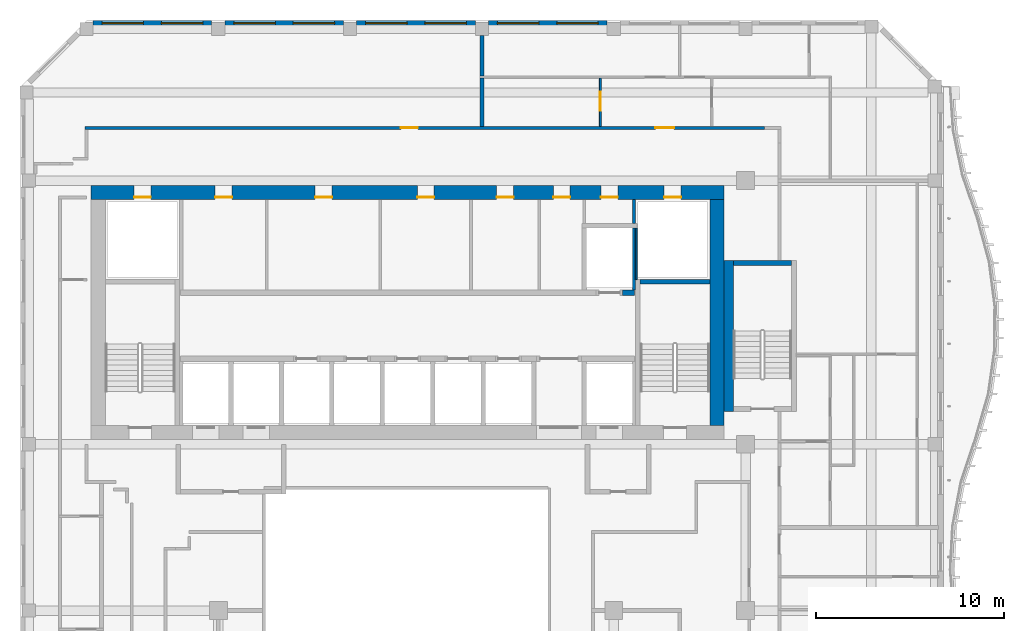
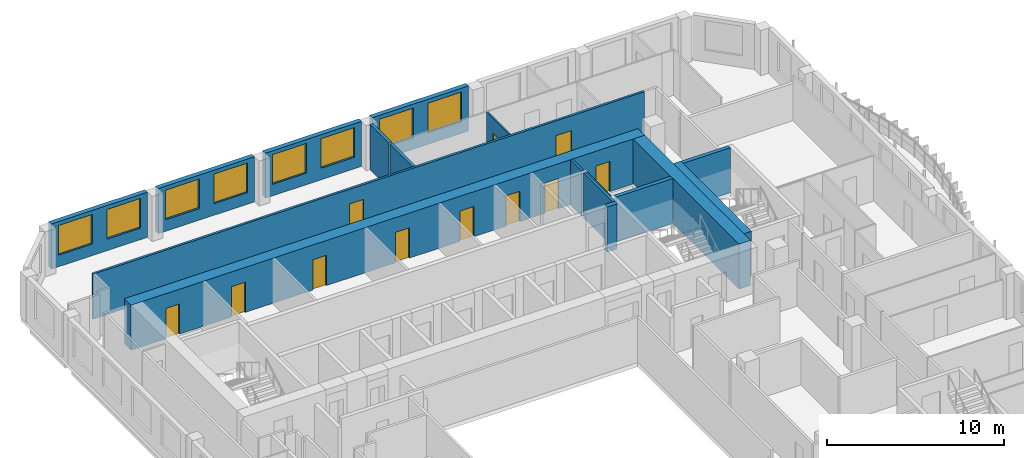
# One storey, part 8 of 19: 17 walls, 11 doors, 8 windows, 19 openings.
"""IFC4 building model written with IfcOpenShell, lengths in metres."""

import ifcopenshell
import ifcopenshell.guid

model = None  # the IFC model being written
_history = None  # IfcOwnerHistory: only IFC2X3 demands one
_inside = {}  # id of a spatial element -> (the spatial element, [elements in it])
_under = {}  # id of a project, library or spatial element -> (it, [spatial elements below it])
_declared = {}  # id of a project -> (the project, [libraries it declares])
_typed = {}  # id of a type object -> (the type object, [elements of that type])
_made_of = {}  # id of a material, layer set ... -> (it, [elements and type objects made of it])


def new_model(schema):
    """Start an empty IFC model of exactly this schema.

    Asked for "IFC4X3", IfcOpenShell would pick the latest addendum, in which some entities
    have other attributes; the version numbers below select the first issue.
    IFC2X3 requires an IfcOwnerHistory on every rooted entity: one is made here for all.
    """
    global model, _history
    if schema == "IFC4X3":
        model = ifcopenshell.file(schema_version=(4, 3, 0, 0))
    else:
        model = ifcopenshell.file(schema=schema)
    _inside.clear()
    _under.clear()
    _declared.clear()
    _typed.clear()
    _made_of.clear()
    _history = None
    if model.schema == "IFC2X3":
        org = make("IfcOrganization", Name="unknown")
        user = make(
            "IfcPersonAndOrganization",
            ThePerson=make("IfcPerson", FamilyName="unknown"),
            TheOrganization=org,
        )
        app = make(
            "IfcApplication",
            ApplicationDeveloper=org,
            Version="unknown",
            ApplicationFullName="unknown",
            ApplicationIdentifier="unknown",
        )
        _history = make(
            "IfcOwnerHistory",
            OwningUser=user,
            OwningApplication=app,
            ChangeAction="ADDED",
            CreationDate=0,
        )
    return model


def make(cls, **values):
    """One entity of the class cls with the attributes given. An attribute that is None is left unset."""
    return model.create_entity(
        cls, **{name: value for name, value in values.items() if value is not None}
    )


def rooted(cls, **values):
    """An entity with a GlobalId (a new one), such as an element, a storey or a relation."""
    return make(cls, GlobalId=ifcopenshell.guid.new(), OwnerHistory=_history, **values)


def si_unit(unit_type, name, prefix=None):
    """IfcSIUnit, for example si_unit("LENGTHUNIT", "METRE", prefix="MILLI")."""
    return make("IfcSIUnit", UnitType=unit_type, Prefix=prefix, Name=name)


def assignment(units):
    """IfcUnitAssignment: the units of a project."""
    return None if units is None else make("IfcUnitAssignment", Units=units)


def point(xyz):
    """IfcCartesianPoint."""
    return None if xyz is None else make("IfcCartesianPoint", Coordinates=xyz)


def direction(xyz):
    """IfcDirection."""
    return None if xyz is None else make("IfcDirection", DirectionRatios=xyz)


def frame(location, z_axis=None, x_axis=None):
    """IfcAxis2Placement3D, a coordinate frame: its origin and axes. An axis left out is left unset."""
    return make(
        "IfcAxis2Placement3D",
        Location=point(location),
        Axis=direction(z_axis),
        RefDirection=direction(x_axis),
    )


def frame_2d(location, x_axis=None):
    """IfcAxis2Placement2D, a coordinate frame in the plane: its origin and x axis."""
    return make(
        "IfcAxis2Placement2D", Location=point(location), RefDirection=direction(x_axis)
    )


def origin():
    """The frame at (0, 0, 0) with its axes left unset."""
    return frame((0.0, 0.0, 0.0))


def place(relative_to, where):
    """IfcLocalPlacement: puts the frame where relative to a parent placement (None: the world)."""
    return make(
        "IfcLocalPlacement", PlacementRelTo=relative_to, RelativePlacement=where
    )


def context(
    kind, dimensions, precision=None, world=None, true_north=None, identifier=None
):
    """IfcGeometricRepresentationContext, for example the 3D "Model" context."""
    return make(
        "IfcGeometricRepresentationContext",
        ContextIdentifier=identifier,
        ContextType=kind,
        CoordinateSpaceDimension=dimensions,
        Precision=precision,
        WorldCoordinateSystem=world,
        TrueNorth=true_north,
    )


def subcontext(parent, identifier, kind, view, scale=None):
    """IfcGeometricRepresentationSubContext, for example "Body" below "Model"."""
    return make(
        "IfcGeometricRepresentationSubContext",
        ContextIdentifier=identifier,
        ContextType=kind,
        ParentContext=parent,
        TargetScale=scale,
        TargetView=view,
    )


def project(units=None, contexts=None):
    """IfcProject with its units and contexts."""
    return rooted(
        "IfcProject",
        Name="project",
        RepresentationContexts=contexts,
        UnitsInContext=assignment(units),
    )


def spatial(cls, under=None, at=None, **own):
    """A site, building, storey or space (cls), placed at a placement, below another one or the project."""
    s = rooted(cls, ObjectPlacement=at, **own)
    if under is not None:
        _under.setdefault(under.id(), (under, []))[1].append(s)
    return s


def profile(cls, at=None, kind="AREA", **sizes):
    """A parametric profile (cls). Its sizes go by their IFC names, for example OverallWidth=200.0."""
    return make(cls, ProfileType=kind, Position=at, **sizes)


def rectangle(**sizes):
    """IfcRectangleProfileDef."""
    return profile("IfcRectangleProfileDef", **sizes)


def extrude(swept, where, along, depth):
    """IfcExtrudedAreaSolid: the profile swept, set in the frame where, extruded along a direction by depth."""
    return make(
        "IfcExtrudedAreaSolid",
        SweptArea=swept,
        Position=where,
        ExtrudedDirection=direction(along),
        Depth=depth,
    )


def shape(context_of_items, identifier, shape_type, items):
    """IfcShapeRepresentation: the items that make up one representation, for example the "Body"."""
    return make(
        "IfcShapeRepresentation",
        ContextOfItems=context_of_items,
        RepresentationIdentifier=identifier,
        RepresentationType=shape_type,
        Items=items,
    )


def source(mapping_origin, context_of_items, identifier, shape_type, items):
    """IfcRepresentationMap: a shape defined once, which mapped items show again and again."""
    return make(
        "IfcRepresentationMap",
        MappingOrigin=mapping_origin,
        MappedRepresentation=shape(context_of_items, identifier, shape_type, items),
    )


def transform(
    local_origin,
    x_axis=None,
    y_axis=None,
    z_axis=None,
    scale=None,
    scale2=None,
    scale3=None,
    uniform=True,
):
    """IfcCartesianTransformationOperator3D, or its non-uniform kind. x_axis, y_axis, z_axis: its Axis1, 2, 3."""
    if uniform:
        return make(
            "IfcCartesianTransformationOperator3D",
            Axis1=direction(x_axis),
            Axis2=direction(y_axis),
            LocalOrigin=point(local_origin),
            Scale=scale,
            Axis3=direction(z_axis),
        )
    return make(
        "IfcCartesianTransformationOperator3DnonUniform",
        Axis1=direction(x_axis),
        Axis2=direction(y_axis),
        LocalOrigin=point(local_origin),
        Scale=scale,
        Axis3=direction(z_axis),
        Scale2=scale2,
        Scale3=scale3,
    )


def mapped(mapping_source, mapping_target):
    """IfcMappedItem: shows the shape of a source again, moved by a transform."""
    return make(
        "IfcMappedItem", MappingSource=mapping_source, MappingTarget=mapping_target
    )


def material(Name=None, Category=None):
    """IfcMaterial."""
    return make("IfcMaterial", Name=Name, Category=Category)


def layer(
    of_material, thickness, ventilated=None, Name=None, Category=None, Priority=None
):
    """IfcMaterialLayer: one layer of a wall or slab, of a material (None: an air gap)."""
    return make(
        "IfcMaterialLayer",
        Material=of_material,
        LayerThickness=thickness,
        IsVentilated=ventilated,
        Name=Name,
        Category=Category,
        Priority=Priority,
    )


def layer_set(layers, Name=None):
    """IfcMaterialLayerSet."""
    return make("IfcMaterialLayerSet", MaterialLayers=layers, LayerSetName=Name)


def made_of(thing, what):
    """Note that an element or type object is made of a material, layer set ...; save() writes the relation."""
    if what is not None:
        _made_of.setdefault(what.id(), (what, []))[1].append(thing)
    return thing


def type_object(cls, material=None, **own):
    """A type object (cls), such as IfcWallType, which elements share."""
    return made_of(rooted(cls, **own), material)


def element(
    cls,
    number,
    at=None,
    inside=None,
    cuts=None,
    type_object=None,
    material=None,
    context=None,
    identifier="Body",
    shape_type=None,
    held_by="IfcProductDefinitionShape",
    body=None,
    shapes=None,
    **own,
):
    """One element of the class cls, such as IfcWall. Its Tag is "e" and its number.

    at: its placement. inside: the storey or other place that contains it. cuts: it is an
    opening in that element (IfcRelVoidsElement). A single representation is given by context,
    identifier, shape_type and body (its items); several are given by shapes. held_by: the class
    of the entity that holds the representations. save() writes the other relations.
    """
    e = rooted(cls, Tag="e%d" % number, ObjectPlacement=at, **own)
    if body is not None:
        shapes = [shape(context, identifier, shape_type, body)]
    if shapes is not None:
        e.Representation = make(held_by, Representations=shapes)
    if inside is not None:
        _inside.setdefault(inside.id(), (inside, []))[1].append(e)
    if cuts is not None:
        rooted(
            "IfcRelVoidsElement", RelatingBuildingElement=cuts, RelatedOpeningElement=e
        )
    if type_object is not None:
        _typed.setdefault(type_object.id(), (type_object, []))[1].append(e)
    return made_of(e, material)


def fill(opening, filler):
    """IfcRelFillsElement: the door or window that sits in an opening."""
    return rooted(
        "IfcRelFillsElement",
        RelatingOpeningElement=opening,
        RelatedBuildingElement=filler,
    )


def aggregate(whole, parts):
    """IfcRelAggregates: a whole, such as a stair, and the parts it consists of."""
    return rooted("IfcRelAggregates", RelatingObject=whole, RelatedObjects=parts)


def save(model, path):
    """Write the relations noted so far, then the file.

    IfcRelAggregates (storeys below a building ...), IfcRelContainedInSpatialStructure (elements
    in a storey), IfcRelDefinesByType, IfcRelAssociatesMaterial and IfcRelDeclares: one each for
    every whole, place, type object, material and project.
    """
    for whole, parts in _under.values():
        aggregate(whole, parts)
    for where, things in _inside.values():
        rooted(
            "IfcRelContainedInSpatialStructure",
            RelatedElements=things,
            RelatingStructure=where,
        )
    for kind, things in _typed.values():
        rooted("IfcRelDefinesByType", RelatedObjects=things, RelatingType=kind)
    for what, things in _made_of.values():
        rooted("IfcRelAssociatesMaterial", RelatedObjects=things, RelatingMaterial=what)
    for by, libraries in _declared.values():
        rooted("IfcRelDeclares", RelatingContext=by, RelatedDefinitions=libraries)
    model.write(path)


model = new_model("IFC4")

# Units and contexts
model_context = context("Model", 3, precision=1e-05, world=origin(), true_north=direction((0.0, 1.0)))
body_context = subcontext(model_context, "Body", "Model", "MODEL_VIEW")
ifc_project = project(units=[si_unit("LENGTHUNIT", "METRE"), si_unit("AREAUNIT", "SQUARE_METRE"), si_unit("VOLUMEUNIT", "CUBIC_METRE"), si_unit("PLANEANGLEUNIT", "RADIAN"), si_unit("MASSUNIT", "GRAM", prefix="KILO")], contexts=[model_context])

# Site, building, storey
site_placement = place(None, origin())
site = spatial("IfcSite", under=ifc_project, at=site_placement, CompositionType="ELEMENT")
building_placement = place(site_placement, origin())
building = spatial("IfcBuilding", under=site, at=building_placement, Name="Kilnfold Tower and Market Hall", CompositionType="ELEMENT")
storey_placement = place(building_placement, frame((0.0, 0.0, 252.60009765625)))
storey = spatial("IfcBuildingStorey", under=building, at=storey_placement, Name="L61", CompositionType="ELEMENT", Elevation=252.60009765625)

# Wall, openings, doors
ifc_material_1 = material(Name="Gypsum board on steel studs", Category="steel")
ifc_layer_1 = layer(ifc_material_1, 0.14990234375)
ifc_layer_set_1 = layer_set([ifc_layer_1], Name="Gypsum board on steel studs")
wall_type_1 = type_object("IfcWallType", Name="WALL CORRIDOR 150", PredefinedType="PARTITIONING", material=ifc_layer_set_1)
wall_1_placement = place(storey_placement, frame((-16.074951171875, 24.800048828125, 0.0), z_axis=(0.0, 0.0, 1.0), x_axis=(1.0, 0.0, 0.0)))
wall_1 = element("IfcWall", 1, at=wall_1_placement, inside=storey, type_object=wall_type_1, Name="Partition LY37.26", PredefinedType="PARTITIONING", context=body_context, shape_type="SweptSolid", body=[
    extrude(rectangle(XDim=36.072998046875, YDim=0.14990234375, at=frame_2d((18.03662109375, 0.0))), origin(), (0.0, 0.0, 1.0), 3.119873046875),
])
opening_1_placement = place(wall_1_placement, frame((16.77099609375, 0.0, 0.0)))
opening_1 = element("IfcOpeningElement", 2, at=opening_1_placement, cuts=wall_1, Name="Opening D2", PredefinedType="OPENING", context=body_context, shape_type="SweptSolid", body=[
    extrude(rectangle(XDim=0.89990234375, YDim=2.10009765625, at=frame_2d((0.449951171875, 1.050048828125))), frame((0.0, 0.0849609375, 0.0), z_axis=(0.0, -1.0, 0.0), x_axis=(1.0, 0.0, 0.0)), (0.0, 0.0, 1.0), 0.169921875),
])
opening_2_placement = place(wall_1_placement, frame((30.279052734375, 0.0, 0.0)))
opening_2 = element("IfcOpeningElement", 3, at=opening_2_placement, cuts=wall_1, Name="Opening D1", PredefinedType="OPENING", context=body_context, shape_type="SweptSolid", body=[
    extrude(rectangle(XDim=1.0, YDim=2.10009765625, at=frame_2d((0.5, 1.050048828125))), frame((0.0, 0.0849609375, 0.0), z_axis=(0.0, -1.0, 0.0), x_axis=(1.0, 0.0, 0.0)), (0.0, 0.0, 1.0), 0.169921875),
])
ifc_material_2 = material(Name="Timber veneer door leaf in steel frame", Category="steel")
door_type_1 = type_object("IfcDoorType", Name="DOOR ENTRY 1000 X2100", OperationType="NOTDEFINED", PredefinedType="DOOR", material=ifc_material_2)
door_1_placement = place(opening_2_placement, origin())
door_1 = element("IfcDoor", 4, at=door_1_placement, inside=storey, type_object=door_type_1, Name="Door D1", OperationType="SINGLE_SWING_LEFT", OverallHeight=2.10009765625, OverallWidth=1.0, PredefinedType="DOOR", context=body_context, shape_type="SweptSolid", body=[
    extrude(rectangle(XDim=1.0, YDim=2.10009765625, at=frame_2d((0.5, 1.050048828125))), frame((0.0, 0.02490234375, 0.0), z_axis=(0.0, -1.0, 0.0), x_axis=(1.0, 0.0, 0.0)), (0.0, 0.0, 1.0), 0.050048828125),
])
fill(opening_2, door_1)
ifc_material_3 = material(Name="Timber veneer door leaf in steel frame", Category="steel")
door_type_2 = type_object("IfcDoorType", Name="DOOR ROOM 900 X2100", OperationType="NOTDEFINED", PredefinedType="DOOR", material=ifc_material_3)
door_2_placement = place(opening_1_placement, origin())
door_2 = element("IfcDoor", 5, at=door_2_placement, inside=storey, type_object=door_type_2, Name="Door D2", OperationType="SINGLE_SWING_LEFT", OverallHeight=2.10009765625, OverallWidth=0.89990234375, PredefinedType="DOOR", context=body_context, shape_type="SweptSolid", body=[
    extrude(rectangle(XDim=0.89990234375, YDim=2.10009765625, at=frame_2d((0.449951171875, 1.050048828125))), frame((0.0, 0.02490234375, 0.0), z_axis=(0.0, -1.0, 0.0), x_axis=(1.0, 0.0, 0.0)), (0.0, 0.0, 1.0), 0.050048828125),
])
fill(opening_1, door_2)

# Wall, opening, door
ifc_material_4 = material(Name="Gypsum board on steel studs", Category="steel")
ifc_layer_2 = layer(ifc_material_4, 0.10009765625)
ifc_layer_set_2 = layer_set([ifc_layer_2], Name="Gypsum board on steel studs")
wall_type_2 = type_object("IfcWallType", Name="WALL PARTITION 100", PredefinedType="PARTITIONING", material=ifc_layer_set_2)
wall_2_placement = place(storey_placement, frame((11.2900390625, 24.876953125, 0.0), z_axis=(0.0, 0.0, 1.0), x_axis=(0.0, 1.0, 0.0)))
wall_2 = element("IfcWall", 6, at=wall_2_placement, inside=storey, type_object=wall_type_2, Name="Partition LY37.90", PredefinedType="PARTITIONING", context=body_context, shape_type="SweptSolid", body=[
    extrude(rectangle(XDim=2.572998046875, YDim=0.10009765625, at=frame_2d((1.28662109375, 0.0))), origin(), (0.0, 0.0, 1.0), 3.119873046875),
])
opening_3_placement = place(wall_2_placement, frame((0.840087890625, 0.0, 0.0)))
opening_3 = element("IfcOpeningElement", 7, at=opening_3_placement, cuts=wall_2, Name="Opening D1", PredefinedType="OPENING", context=body_context, shape_type="SweptSolid", body=[
    extrude(rectangle(XDim=1.0, YDim=2.10009765625, at=frame_2d((0.5, 1.050048828125))), frame((0.0, 0.06005859375, 0.0), z_axis=(0.0, -1.0, 0.0), x_axis=(1.0, 0.0, 0.0)), (0.0, 0.0, 1.0), 0.1201171875),
])
door_3_placement = place(opening_3_placement, origin())
door_3 = element("IfcDoor", 8, at=door_3_placement, inside=storey, type_object=door_type_1, Name="Door D1", OperationType="SINGLE_SWING_RIGHT", OverallHeight=2.10009765625, OverallWidth=1.0, PredefinedType="DOOR", context=body_context, shape_type="SweptSolid", body=[
    extrude(rectangle(XDim=1.0, YDim=2.10009765625, at=frame_2d((0.5, 1.050048828125))), frame((0.0, 0.02490234375, 0.0), z_axis=(0.0, -1.0, 0.0), x_axis=(1.0, 0.0, 0.0)), (0.0, 0.0, 1.0), 0.050048828125),
])
fill(opening_3, door_3)

# Walls
ifc_material_5 = material(Name="Gypsum board on steel studs", Category="steel")
ifc_layer_3 = layer(ifc_material_5, 0.199951171875)
ifc_layer_set_3 = layer_set([ifc_layer_3], Name="Gypsum board on steel studs")
wall_type_3 = type_object("IfcWallType", Name="WALL PARTY 200", PredefinedType="PARTITIONING", material=ifc_layer_set_3)
wall_3_placement = place(storey_placement, frame((5.0, 24.876953125, 0.0), z_axis=(0.0, 0.0, 1.0), x_axis=(0.0, 1.0, 0.0)))
element("IfcWall", 9, at=wall_3_placement, inside=storey, type_object=wall_type_3, Name="Partition LY37.92", PredefinedType="PARTITIONING", context=body_context, shape_type="SweptSolid", body=[
    extrude(rectangle(XDim=2.572998046875, YDim=0.199951171875, at=frame_2d((1.28662109375, 0.0))), origin(), (0.0, 0.0, 1.0), 3.119873046875),
])
wall_4_placement = place(storey_placement, frame((5.0, 27.552001953125, 0.0), z_axis=(0.0, 0.0, 1.0), x_axis=(0.0, 1.0, 0.0)))
element("IfcWall", 10, at=wall_4_placement, inside=storey, type_object=wall_type_3, Name="Partition LY37.98", PredefinedType="PARTITIONING", context=body_context, shape_type="SweptSolid", body=[
    extrude(rectangle(XDim=2.14794921875, YDim=0.199951171875, at=frame_2d((1.073974609375, 0.0))), origin(), (0.0, 0.0, 1.0), 3.119873046875),
])
ifc_material_6 = material(Name="Concrete C60", Category="concrete")
ifc_layer_4 = layer(ifc_material_6, 0.25)
ifc_layer_set_4 = layer_set([ifc_layer_4], Name="Concrete C60")
wall_type_4 = type_object("IfcWallType", Name="CORE WALL 250 C60", PredefinedType="SHEAR", material=ifc_layer_set_4)
shared_shape_1 = source(origin(), body_context, "Body", "SweptSolid", [
    extrude(rectangle(XDim=3.7001953125, YDim=0.25, at=frame_2d((1.85009765625, 0.0))), origin(), (0.0, 0.0, 1.0), 3.119873046875),
])
wall_5_placement = place(storey_placement, frame((13.39990234375, 16.625, 0.0), z_axis=(0.0, 0.0, 1.0), x_axis=(1.0, 0.0, 0.0)))
element("IfcWall", 11, at=wall_5_placement, inside=storey, type_object=wall_type_4, Name="Stair enclosure ST2", PredefinedType="SHEAR", context=body_context, shape_type="MappedRepresentation", body=[
    mapped(shared_shape_1, transform((0.0, 0.0, 0.0))),
])
shared_shape_2 = source(origin(), body_context, "Body", "SweptSolid", [
    extrude(rectangle(XDim=3.099853515625, YDim=0.25, at=frame_2d((1.5498046875, 0.0))), origin(), (0.0, 0.0, 1.0), 3.119873046875),
])
wall_6_placement = place(storey_placement, frame((18.35009765625, 17.625, 0.0), z_axis=(0.0, 0.0, 1.0), x_axis=(1.0, 0.0, 0.0)))
element("IfcWall", 12, at=wall_6_placement, inside=storey, type_object=wall_type_4, Name="Stair enclosure ST5", PredefinedType="SHEAR", context=body_context, shape_type="MappedRepresentation", body=[
    mapped(shared_shape_2, transform((0.0, 0.0, 0.0))),
])
ifc_material_7 = material(Name="Concrete C60", Category="concrete")
ifc_layer_5 = layer(ifc_material_7, 0.300048828125)
ifc_layer_set_5 = layer_set([ifc_layer_5], Name="Concrete C60")
wall_type_5 = type_object("IfcWallType", Name="CORE WALL 300 C60", PredefinedType="SHEAR", material=ifc_layer_set_5)
shared_shape_3 = source(origin(), body_context, "Body", "SweptSolid", [
    extrude(rectangle(XDim=0.64013671875, YDim=0.300048828125, at=frame_2d((0.320068359375, 0.0))), origin(), (0.0, 0.0, 1.0), 3.119873046875),
])
wall_7_placement = place(storey_placement, frame((12.469970703125, 16.050048828125, 0.0), z_axis=(0.0, 0.0, 1.0), x_axis=(1.0, 0.0, 0.0)))
element("IfcWall", 13, at=wall_7_placement, inside=storey, type_object=wall_type_5, Name="Core spine wall", PredefinedType="SHEAR", context=body_context, shape_type="MappedRepresentation", body=[
    mapped(shared_shape_3, transform((0.0, 0.0, 0.0))),
])

# Wall, openings, doors
ifc_material_8 = material(Name="Concrete C60", Category="concrete")
ifc_layer_6 = layer(ifc_material_8, 0.75)
ifc_layer_set_6 = layer_set([ifc_layer_6], Name="Concrete C60")
wall_type_6 = type_object("IfcWallType", Name="CORE WALL 750 C60", PredefinedType="SHEAR", material=ifc_layer_set_6)
shared_shape_4 = source(origin(), body_context, "Body", "SweptSolid", [
    extrude(rectangle(XDim=33.60009765625, YDim=0.75, at=frame_2d((16.800048828125, 0.0))), origin(), (0.0, 0.0, 1.0), 3.119873046875),
])
wall_8_placement = place(storey_placement, frame((-15.75, 21.375, 0.0), z_axis=(0.0, 0.0, 1.0), x_axis=(1.0, 0.0, 0.0)))
wall_8 = element("IfcWall", 14, at=wall_8_placement, inside=storey, type_object=wall_type_6, Name="Core outer wall north", PredefinedType="SHEAR", context=body_context, shape_type="MappedRepresentation", body=[
    mapped(shared_shape_4, transform((0.0, 0.0, 0.0))),
])
opening_4_placement = place(wall_8_placement, frame((6.581298828125, 0.0, 0.0)))
opening_4 = element("IfcOpeningElement", 15, at=opening_4_placement, cuts=wall_8, Name="Opening KD1", PredefinedType="OPENING", context=body_context, shape_type="SweptSolid", body=[
    extrude(rectangle(XDim=0.89990234375, YDim=2.10009765625, at=frame_2d((0.449951171875, 1.050048828125))), frame((0.0, 0.385009765625, 0.0), z_axis=(0.0, -1.0, 0.0), x_axis=(1.0, 0.0, 0.0)), (0.0, 0.0, 1.0), 0.77001953125),
])
opening_5_placement = place(wall_8_placement, frame((11.8876953125, 0.0, 0.0)))
opening_5 = element("IfcOpeningElement", 16, at=opening_5_placement, cuts=wall_8, Name="Opening KD1", PredefinedType="OPENING", context=body_context, shape_type="SweptSolid", body=[
    extrude(rectangle(XDim=0.89990234375, YDim=2.10009765625, at=frame_2d((0.449951171875, 1.050048828125))), frame((0.0, 0.385009765625, 0.0), z_axis=(0.0, -1.0, 0.0), x_axis=(1.0, 0.0, 0.0)), (0.0, 0.0, 1.0), 0.77001953125),
])
opening_6_placement = place(wall_8_placement, frame((17.314697265625, 0.0, 0.0)))
opening_6 = element("IfcOpeningElement", 17, at=opening_6_placement, cuts=wall_8, Name="Opening KD1", PredefinedType="OPENING", context=body_context, shape_type="SweptSolid", body=[
    extrude(rectangle(XDim=0.89990234375, YDim=2.10009765625, at=frame_2d((0.449951171875, 1.050048828125))), frame((0.0, 0.385009765625, 0.0), z_axis=(0.0, -1.0, 0.0), x_axis=(1.0, 0.0, 0.0)), (0.0, 0.0, 1.0), 0.77001953125),
])
opening_7_placement = place(wall_8_placement, frame((21.535888671875, 0.0, 0.0)))
opening_7 = element("IfcOpeningElement", 18, at=opening_7_placement, cuts=wall_8, Name="Opening KD1", PredefinedType="OPENING", context=body_context, shape_type="SweptSolid", body=[
    extrude(rectangle(XDim=0.89990234375, YDim=2.10009765625, at=frame_2d((0.449951171875, 1.050048828125))), frame((0.0, 0.385009765625, 0.0), z_axis=(0.0, -1.0, 0.0), x_axis=(1.0, 0.0, 0.0)), (0.0, 0.0, 1.0), 0.77001953125),
])
opening_8_placement = place(wall_8_placement, frame((24.537353515625, 0.0, 0.0)))
opening_8 = element("IfcOpeningElement", 19, at=opening_8_placement, cuts=wall_8, Name="Opening KD1", PredefinedType="OPENING", context=body_context, shape_type="SweptSolid", body=[
    extrude(rectangle(XDim=0.89990234375, YDim=2.10009765625, at=frame_2d((0.449951171875, 1.050048828125))), frame((0.0, 0.385009765625, 0.0), z_axis=(0.0, -1.0, 0.0), x_axis=(1.0, 0.0, 0.0)), (0.0, 0.0, 1.0), 0.77001953125),
])
opening_9_placement = place(wall_8_placement, frame((27.070068359375, 0.0, 0.0)))
opening_9 = element("IfcOpeningElement", 20, at=opening_9_placement, cuts=wall_8, Name="Opening KD1", PredefinedType="OPENING", context=body_context, shape_type="SweptSolid", body=[
    extrude(rectangle(XDim=0.89990234375, YDim=2.10009765625, at=frame_2d((0.449951171875, 1.050048828125))), frame((0.0, 0.385009765625, 0.0), z_axis=(0.0, -1.0, 0.0), x_axis=(1.0, 0.0, 0.0)), (0.0, 0.0, 1.0), 0.77001953125),
])
opening_10_placement = place(wall_8_placement, frame((2.27490234375, 0.0, 0.0)))
opening_10 = element("IfcOpeningElement", 21, at=opening_10_placement, cuts=wall_8, Name="Opening KD1", PredefinedType="OPENING", context=body_context, shape_type="SweptSolid", body=[
    extrude(rectangle(XDim=0.89990234375, YDim=2.10009765625, at=frame_2d((0.449951171875, 1.050048828125))), frame((0.0, 0.385009765625, 0.0), z_axis=(0.0, -1.0, 0.0), x_axis=(1.0, 0.0, 0.0)), (0.0, 0.0, 1.0), 0.77001953125),
])
opening_11_placement = place(wall_8_placement, frame((30.425048828125, 0.0, 0.0)))
opening_11 = element("IfcOpeningElement", 22, at=opening_11_placement, cuts=wall_8, Name="Opening KD1", PredefinedType="OPENING", context=body_context, shape_type="SweptSolid", body=[
    extrude(rectangle(XDim=0.89990234375, YDim=2.10009765625, at=frame_2d((0.449951171875, 1.050048828125))), frame((0.0, 0.385009765625, 0.0), z_axis=(0.0, -1.0, 0.0), x_axis=(1.0, 0.0, 0.0)), (0.0, 0.0, 1.0), 0.77001953125),
])
ifc_material_9 = material(Name="Steel door set with fire-resisting leaf", Category="steel")
door_type_3 = type_object("IfcDoorType", Name="SERVICE DOOR 900X2100", OperationType="NOTDEFINED", PredefinedType="DOOR", material=ifc_material_9)
door_4_placement = place(opening_4_placement, origin())
door_4 = element("IfcDoor", 23, at=door_4_placement, inside=storey, type_object=door_type_3, Name="Core service door", OperationType="SINGLE_SWING_RIGHT", OverallHeight=2.10009765625, OverallWidth=0.89990234375, PredefinedType="DOOR", context=body_context, shape_type="SweptSolid", body=[
    extrude(rectangle(XDim=0.89990234375, YDim=2.10009765625, at=frame_2d((0.449951171875, 1.050048828125))), frame((0.0, -0.22998046875, 0.0), z_axis=(0.0, -1.0, 0.0), x_axis=(1.0, 0.0, 0.0)), (0.0, 0.0, 1.0), 0.050048828125),
])
fill(opening_4, door_4)
door_5_placement = place(opening_5_placement, origin())
door_5 = element("IfcDoor", 24, at=door_5_placement, inside=storey, type_object=door_type_3, Name="Core service door", OperationType="SINGLE_SWING_LEFT", OverallHeight=2.10009765625, OverallWidth=0.89990234375, PredefinedType="DOOR", context=body_context, shape_type="SweptSolid", body=[
    extrude(rectangle(XDim=0.89990234375, YDim=2.10009765625, at=frame_2d((0.449951171875, 1.050048828125))), frame((0.0, -0.22998046875, 0.0), z_axis=(0.0, -1.0, 0.0), x_axis=(1.0, 0.0, 0.0)), (0.0, 0.0, 1.0), 0.050048828125),
])
fill(opening_5, door_5)
door_6_placement = place(opening_6_placement, origin())
door_6 = element("IfcDoor", 25, at=door_6_placement, inside=storey, type_object=door_type_3, Name="Core service door", OperationType="SINGLE_SWING_RIGHT", OverallHeight=2.10009765625, OverallWidth=0.89990234375, PredefinedType="DOOR", context=body_context, shape_type="SweptSolid", body=[
    extrude(rectangle(XDim=0.89990234375, YDim=2.10009765625, at=frame_2d((0.449951171875, 1.050048828125))), frame((0.0, -0.22998046875, 0.0), z_axis=(0.0, -1.0, 0.0), x_axis=(1.0, 0.0, 0.0)), (0.0, 0.0, 1.0), 0.050048828125),
])
fill(opening_6, door_6)
door_7_placement = place(opening_7_placement, origin())
door_7 = element("IfcDoor", 26, at=door_7_placement, inside=storey, type_object=door_type_3, Name="Core service door", OperationType="SINGLE_SWING_LEFT", OverallHeight=2.10009765625, OverallWidth=0.89990234375, PredefinedType="DOOR", context=body_context, shape_type="SweptSolid", body=[
    extrude(rectangle(XDim=0.89990234375, YDim=2.10009765625, at=frame_2d((0.449951171875, 1.050048828125))), frame((0.0, -0.22998046875, 0.0), z_axis=(0.0, -1.0, 0.0), x_axis=(1.0, 0.0, 0.0)), (0.0, 0.0, 1.0), 0.050048828125),
])
fill(opening_7, door_7)
door_8_placement = place(opening_8_placement, origin())
door_8 = element("IfcDoor", 27, at=door_8_placement, inside=storey, type_object=door_type_3, Name="Core service door", OperationType="SINGLE_SWING_RIGHT", OverallHeight=2.10009765625, OverallWidth=0.89990234375, PredefinedType="DOOR", context=body_context, shape_type="SweptSolid", body=[
    extrude(rectangle(XDim=0.89990234375, YDim=2.10009765625, at=frame_2d((0.449951171875, 1.050048828125))), frame((0.0, -0.22998046875, 0.0), z_axis=(0.0, -1.0, 0.0), x_axis=(1.0, 0.0, 0.0)), (0.0, 0.0, 1.0), 0.050048828125),
])
fill(opening_8, door_8)
door_9_placement = place(opening_9_placement, origin())
door_9 = element("IfcDoor", 28, at=door_9_placement, inside=storey, type_object=door_type_3, Name="Core service door", OperationType="SINGLE_SWING_LEFT", OverallHeight=2.10009765625, OverallWidth=0.89990234375, PredefinedType="DOOR", context=body_context, shape_type="SweptSolid", body=[
    extrude(rectangle(XDim=0.89990234375, YDim=2.10009765625, at=frame_2d((0.449951171875, 1.050048828125))), frame((0.0, -0.22998046875, 0.0), z_axis=(0.0, -1.0, 0.0), x_axis=(1.0, 0.0, 0.0)), (0.0, 0.0, 1.0), 0.050048828125),
])
fill(opening_9, door_9)
door_10_placement = place(opening_10_placement, origin())
door_10 = element("IfcDoor", 29, at=door_10_placement, inside=storey, type_object=door_type_3, Name="Electrical riser access door", OperationType="SINGLE_SWING_RIGHT", OverallHeight=2.10009765625, OverallWidth=0.89990234375, PredefinedType="DOOR", context=body_context, shape_type="SweptSolid", body=[
    extrude(rectangle(XDim=0.89990234375, YDim=2.10009765625, at=frame_2d((0.449951171875, 1.050048828125))), frame((0.0, -0.22998046875, 0.0), z_axis=(0.0, -1.0, 0.0), x_axis=(1.0, 0.0, 0.0)), (0.0, 0.0, 1.0), 0.050048828125),
])
fill(opening_10, door_10)
door_11_placement = place(opening_11_placement, origin())
door_11 = element("IfcDoor", 30, at=door_11_placement, inside=storey, type_object=door_type_3, Name="Mechanical riser access door", OperationType="SINGLE_SWING_LEFT", OverallHeight=2.10009765625, OverallWidth=0.89990234375, PredefinedType="DOOR", context=body_context, shape_type="SweptSolid", body=[
    extrude(rectangle(XDim=0.89990234375, YDim=2.10009765625, at=frame_2d((0.449951171875, 1.050048828125))), frame((0.0, -0.22998046875, 0.0), z_axis=(0.0, -1.0, 0.0), x_axis=(1.0, 0.0, 0.0)), (0.0, 0.0, 1.0), 0.050048828125),
])
fill(opening_11, door_11)

# Walls
shared_shape_5 = source(origin(), body_context, "Body", "SweptSolid", [
    extrude(rectangle(XDim=12.0, YDim=0.75, at=frame_2d((6.0, 0.0))), origin(), (0.0, 0.0, 1.0), 3.119873046875),
])
wall_9_placement = place(storey_placement, frame((17.47509765625, 9.0, 0.0), z_axis=(0.0, 0.0, 1.0), x_axis=(0.0, 1.0, 0.0)))
element("IfcWall", 31, at=wall_9_placement, inside=storey, type_object=wall_type_6, Name="Core outer wall east", PredefinedType="SHEAR", context=body_context, shape_type="MappedRepresentation", body=[
    mapped(shared_shape_5, transform((0.0, 0.0, 0.0))),
])
ifc_material_10 = material(Name="Concrete C60", Category="concrete")
ifc_layer_7 = layer(ifc_material_10, 0.5)
ifc_layer_set_7 = layer_set([ifc_layer_7], Name="Concrete C60")
wall_type_7 = type_object("IfcWallType", Name="CORE WALL 500 C60", PredefinedType="SHEAR", material=ifc_layer_set_7)
shared_shape_6 = source(origin(), body_context, "Body", "SweptSolid", [
    extrude(rectangle(XDim=8.0, YDim=0.5, at=frame_2d((4.0, 0.0))), origin(), (0.0, 0.0, 1.0), 3.119873046875),
])
wall_10_placement = place(storey_placement, frame((18.10009765625, 9.75, 0.0), z_axis=(0.0, 0.0, 1.0), x_axis=(0.0, 1.0, 0.0)))
element("IfcWall", 32, at=wall_10_placement, inside=storey, type_object=wall_type_7, Name="Stair enclosure ST5", PredefinedType="SHEAR", context=body_context, shape_type="MappedRepresentation", body=[
    mapped(shared_shape_6, transform((0.0, 0.0, 0.0))),
])

# Wall, openings, windows
ifc_material_11 = material(Name="Precast concrete C50/60", Category="concrete")
ifc_layer_8 = layer(ifc_material_11, 0.300048828125)
ifc_layer_set_8 = layer_set([ifc_layer_8], Name="Precast concrete C50/60")
wall_type_8 = type_object("IfcWallType", Name="PRECAST WALL 300", PredefinedType="SOLIDWALL", material=ifc_layer_set_8)
shared_shape_7 = source(origin(), body_context, "Body", "SweptSolid", [
    extrude(rectangle(XDim=6.2998046875, YDim=0.300048828125, at=frame_2d((3.14990234375, 0.0))), origin(), (0.0, 0.0, 1.0), 3.119873046875),
])
wall_11_placement = place(storey_placement, frame((11.64990234375, 30.35009765625, 0.0), z_axis=(0.0, 0.0, 1.0), x_axis=(-1.0, 0.0, 0.0)))
wall_11 = element("IfcWall", 33, at=wall_11_placement, inside=storey, type_object=wall_type_8, Name="External wall L61 N", PredefinedType="SOLIDWALL", context=body_context, shape_type="MappedRepresentation", body=[
    mapped(shared_shape_7, transform((0.0, 0.0, 0.0))),
])
opening_12_placement = place(wall_11_placement, frame((0.47509765625, 0.0, 0.800048828125)))
opening_12 = element("IfcOpeningElement", 34, at=opening_12_placement, cuts=wall_11, Name="Opening W3", PredefinedType="OPENING", context=body_context, shape_type="SweptSolid", body=[
    extrude(rectangle(XDim=2.199951171875, YDim=2.050048828125, at=frame_2d((1.10009765625, 1.02490234375))), frame((0.0, 0.16015625, 0.0), z_axis=(0.0, -1.0, 0.0), x_axis=(1.0, 0.0, 0.0)), (0.0, 0.0, 1.0), 0.320068359375),
])
opening_13_placement = place(wall_11_placement, frame((3.625, 0.0, 0.800048828125)))
opening_13 = element("IfcOpeningElement", 35, at=opening_13_placement, cuts=wall_11, Name="Opening W3", PredefinedType="OPENING", context=body_context, shape_type="SweptSolid", body=[
    extrude(rectangle(XDim=2.199951171875, YDim=2.050048828125, at=frame_2d((1.10009765625, 1.02490234375))), frame((0.0, 0.16015625, 0.0), z_axis=(0.0, -1.0, 0.0), x_axis=(1.0, 0.0, 0.0)), (0.0, 0.0, 1.0), 0.320068359375),
])
ifc_material_12 = material(Name="Aluminium frame and double glazing", Category="aluminium")
window_type = type_object("IfcWindowType", Name="WINDOW W3 2200X2050", PartitioningType="SINGLE_PANEL", PredefinedType="WINDOW", material=ifc_material_12)
window_1_placement = place(opening_12_placement, origin())
window_1 = element("IfcWindow", 36, at=window_1_placement, inside=storey, type_object=window_type, Name="Window W3 L61 N-1", OverallHeight=2.050048828125, OverallWidth=2.199951171875, PartitioningType="SINGLE_PANEL", PredefinedType="WINDOW", context=body_context, shape_type="SweptSolid", body=[
    extrude(rectangle(XDim=2.199951171875, YDim=2.050048828125, at=frame_2d((1.10009765625, 1.02490234375))), frame((0.0, 0.030029296875, 0.0), z_axis=(0.0, -1.0, 0.0), x_axis=(1.0, 0.0, 0.0)), (0.0, 0.0, 1.0), 0.06005859375),
])
fill(opening_12, window_1)
window_2_placement = place(opening_13_placement, origin())
window_2 = element("IfcWindow", 37, at=window_2_placement, inside=storey, type_object=window_type, Name="Window W3 L61 N-2", OverallHeight=2.050048828125, OverallWidth=2.199951171875, PartitioningType="SINGLE_PANEL", PredefinedType="WINDOW", context=body_context, shape_type="SweptSolid", body=[
    extrude(rectangle(XDim=2.199951171875, YDim=2.050048828125, at=frame_2d((1.10009765625, 1.02490234375))), frame((0.0, 0.030029296875, 0.0), z_axis=(0.0, -1.0, 0.0), x_axis=(1.0, 0.0, 0.0)), (0.0, 0.0, 1.0), 0.06005859375),
])
fill(opening_13, window_2)

wall_12_placement = place(storey_placement, frame((4.64990234375, 30.35009765625, 0.0), z_axis=(0.0, 0.0, 1.0), x_axis=(-1.0, 0.0, 0.0)))
wall_12 = element("IfcWall", 38, at=wall_12_placement, inside=storey, type_object=wall_type_8, Name="External wall L61 N", PredefinedType="SOLIDWALL", context=body_context, shape_type="MappedRepresentation", body=[
    mapped(shared_shape_7, transform((0.0, 0.0, 0.0))),
])
opening_14_placement = place(wall_12_placement, frame((0.47509765625, 0.0, 0.800048828125)))
opening_14 = element("IfcOpeningElement", 39, at=opening_14_placement, cuts=wall_12, Name="Opening W3", PredefinedType="OPENING", context=body_context, shape_type="SweptSolid", body=[
    extrude(rectangle(XDim=2.199951171875, YDim=2.050048828125, at=frame_2d((1.10009765625, 1.02490234375))), frame((0.0, 0.16015625, 0.0), z_axis=(0.0, -1.0, 0.0), x_axis=(1.0, 0.0, 0.0)), (0.0, 0.0, 1.0), 0.320068359375),
])
opening_15_placement = place(wall_12_placement, frame((3.625, 0.0, 0.800048828125)))
opening_15 = element("IfcOpeningElement", 40, at=opening_15_placement, cuts=wall_12, Name="Opening W3", PredefinedType="OPENING", context=body_context, shape_type="SweptSolid", body=[
    extrude(rectangle(XDim=2.199951171875, YDim=2.050048828125, at=frame_2d((1.10009765625, 1.02490234375))), frame((0.0, 0.16015625, 0.0), z_axis=(0.0, -1.0, 0.0), x_axis=(1.0, 0.0, 0.0)), (0.0, 0.0, 1.0), 0.320068359375),
])
window_3_placement = place(opening_14_placement, origin())
window_3 = element("IfcWindow", 41, at=window_3_placement, inside=storey, type_object=window_type, Name="Window W3 L61 N-1", OverallHeight=2.050048828125, OverallWidth=2.199951171875, PartitioningType="SINGLE_PANEL", PredefinedType="WINDOW", context=body_context, shape_type="SweptSolid", body=[
    extrude(rectangle(XDim=2.199951171875, YDim=2.050048828125, at=frame_2d((1.10009765625, 1.02490234375))), frame((0.0, 0.030029296875, 0.0), z_axis=(0.0, -1.0, 0.0), x_axis=(1.0, 0.0, 0.0)), (0.0, 0.0, 1.0), 0.06005859375),
])
fill(opening_14, window_3)
window_4_placement = place(opening_15_placement, origin())
window_4 = element("IfcWindow", 42, at=window_4_placement, inside=storey, type_object=window_type, Name="Window W3 L61 N-2", OverallHeight=2.050048828125, OverallWidth=2.199951171875, PartitioningType="SINGLE_PANEL", PredefinedType="WINDOW", context=body_context, shape_type="SweptSolid", body=[
    extrude(rectangle(XDim=2.199951171875, YDim=2.050048828125, at=frame_2d((1.10009765625, 1.02490234375))), frame((0.0, 0.030029296875, 0.0), z_axis=(0.0, -1.0, 0.0), x_axis=(1.0, 0.0, 0.0)), (0.0, 0.0, 1.0), 0.06005859375),
])
fill(opening_15, window_4)

wall_13_placement = place(storey_placement, frame((-2.35009765625, 30.35009765625, 0.0), z_axis=(0.0, 0.0, 1.0), x_axis=(-1.0, 0.0, 0.0)))
wall_13 = element("IfcWall", 43, at=wall_13_placement, inside=storey, type_object=wall_type_8, Name="External wall L61 N", PredefinedType="SOLIDWALL", context=body_context, shape_type="MappedRepresentation", body=[
    mapped(shared_shape_7, transform((0.0, 0.0, 0.0))),
])
opening_16_placement = place(wall_13_placement, frame((0.47509765625, 0.0, 0.800048828125)))
opening_16 = element("IfcOpeningElement", 44, at=opening_16_placement, cuts=wall_13, Name="Opening W3", PredefinedType="OPENING", context=body_context, shape_type="SweptSolid", body=[
    extrude(rectangle(XDim=2.199951171875, YDim=2.050048828125, at=frame_2d((1.10009765625, 1.02490234375))), frame((0.0, 0.16015625, 0.0), z_axis=(0.0, -1.0, 0.0), x_axis=(1.0, 0.0, 0.0)), (0.0, 0.0, 1.0), 0.320068359375),
])
opening_17_placement = place(wall_13_placement, frame((3.625, 0.0, 0.800048828125)))
opening_17 = element("IfcOpeningElement", 45, at=opening_17_placement, cuts=wall_13, Name="Opening W3", PredefinedType="OPENING", context=body_context, shape_type="SweptSolid", body=[
    extrude(rectangle(XDim=2.199951171875, YDim=2.050048828125, at=frame_2d((1.10009765625, 1.02490234375))), frame((0.0, 0.16015625, 0.0), z_axis=(0.0, -1.0, 0.0), x_axis=(1.0, 0.0, 0.0)), (0.0, 0.0, 1.0), 0.320068359375),
])
window_5_placement = place(opening_16_placement, origin())
window_5 = element("IfcWindow", 46, at=window_5_placement, inside=storey, type_object=window_type, Name="Window W3 L61 N-1", OverallHeight=2.050048828125, OverallWidth=2.199951171875, PartitioningType="SINGLE_PANEL", PredefinedType="WINDOW", context=body_context, shape_type="SweptSolid", body=[
    extrude(rectangle(XDim=2.199951171875, YDim=2.050048828125, at=frame_2d((1.10009765625, 1.02490234375))), frame((0.0, 0.030029296875, 0.0), z_axis=(0.0, -1.0, 0.0), x_axis=(1.0, 0.0, 0.0)), (0.0, 0.0, 1.0), 0.06005859375),
])
fill(opening_16, window_5)
window_6_placement = place(opening_17_placement, origin())
window_6 = element("IfcWindow", 47, at=window_6_placement, inside=storey, type_object=window_type, Name="Window W3 L61 N-2", OverallHeight=2.050048828125, OverallWidth=2.199951171875, PartitioningType="SINGLE_PANEL", PredefinedType="WINDOW", context=body_context, shape_type="SweptSolid", body=[
    extrude(rectangle(XDim=2.199951171875, YDim=2.050048828125, at=frame_2d((1.10009765625, 1.02490234375))), frame((0.0, 0.030029296875, 0.0), z_axis=(0.0, -1.0, 0.0), x_axis=(1.0, 0.0, 0.0)), (0.0, 0.0, 1.0), 0.06005859375),
])
fill(opening_17, window_6)

wall_14_placement = place(storey_placement, frame((-9.35009765625, 30.35009765625, 0.0), z_axis=(0.0, 0.0, 1.0), x_axis=(-1.0, 0.0, 0.0)))
wall_14 = element("IfcWall", 48, at=wall_14_placement, inside=storey, type_object=wall_type_8, Name="External wall L61 N", PredefinedType="SOLIDWALL", context=body_context, shape_type="MappedRepresentation", body=[
    mapped(shared_shape_7, transform((0.0, 0.0, 0.0))),
])
opening_18_placement = place(wall_14_placement, frame((0.47509765625, 0.0, 0.800048828125)))
opening_18 = element("IfcOpeningElement", 49, at=opening_18_placement, cuts=wall_14, Name="Opening W3", PredefinedType="OPENING", context=body_context, shape_type="SweptSolid", body=[
    extrude(rectangle(XDim=2.199951171875, YDim=2.050048828125, at=frame_2d((1.10009765625, 1.02490234375))), frame((0.0, 0.16015625, 0.0), z_axis=(0.0, -1.0, 0.0), x_axis=(1.0, 0.0, 0.0)), (0.0, 0.0, 1.0), 0.320068359375),
])
opening_19_placement = place(wall_14_placement, frame((3.625, 0.0, 0.800048828125)))
opening_19 = element("IfcOpeningElement", 50, at=opening_19_placement, cuts=wall_14, Name="Opening W3", PredefinedType="OPENING", context=body_context, shape_type="SweptSolid", body=[
    extrude(rectangle(XDim=2.199951171875, YDim=2.050048828125, at=frame_2d((1.10009765625, 1.02490234375))), frame((0.0, 0.16015625, 0.0), z_axis=(0.0, -1.0, 0.0), x_axis=(1.0, 0.0, 0.0)), (0.0, 0.0, 1.0), 0.320068359375),
])
window_7_placement = place(opening_18_placement, origin())
window_7 = element("IfcWindow", 51, at=window_7_placement, inside=storey, type_object=window_type, Name="Window W3 L61 N-1", OverallHeight=2.050048828125, OverallWidth=2.199951171875, PartitioningType="SINGLE_PANEL", PredefinedType="WINDOW", context=body_context, shape_type="SweptSolid", body=[
    extrude(rectangle(XDim=2.199951171875, YDim=2.050048828125, at=frame_2d((1.10009765625, 1.02490234375))), frame((0.0, 0.030029296875, 0.0), z_axis=(0.0, -1.0, 0.0), x_axis=(1.0, 0.0, 0.0)), (0.0, 0.0, 1.0), 0.06005859375),
])
fill(opening_18, window_7)
window_8_placement = place(opening_19_placement, origin())
window_8 = element("IfcWindow", 52, at=window_8_placement, inside=storey, type_object=window_type, Name="Window W3 L61 N-2", OverallHeight=2.050048828125, OverallWidth=2.199951171875, PartitioningType="SINGLE_PANEL", PredefinedType="WINDOW", context=body_context, shape_type="SweptSolid", body=[
    extrude(rectangle(XDim=2.199951171875, YDim=2.050048828125, at=frame_2d((1.10009765625, 1.02490234375))), frame((0.0, 0.030029296875, 0.0), z_axis=(0.0, -1.0, 0.0), x_axis=(1.0, 0.0, 0.0)), (0.0, 0.0, 1.0), 0.06005859375),
])
fill(opening_19, window_8)

# Walls
ifc_material_13 = material(Name="Gypsum shaft wall system")
ifc_layer_9 = layer(ifc_material_13, 0.1650390625)
ifc_layer_set_9 = layer_set([ifc_layer_9], Name="Gypsum shaft wall system")
wall_type_9 = type_object("IfcWallType", Name="SHAFT WALL 165", PredefinedType="PARTITIONING", material=ifc_layer_set_9)
shared_shape_8 = source(origin(), body_context, "Body", "SweptSolid", [
    extrude(rectangle(XDim=3.275146484375, YDim=0.1650390625, at=frame_2d((1.6376953125, 0.0))), origin(), (0.0, 0.0, 1.0), 3.119873046875),
])
wall_15_placement = place(storey_placement, frame((13.0673828125, 16.199951171875, 0.0), z_axis=(0.0, 0.0, 1.0), x_axis=(0.0, 1.0, 0.0)))
element("IfcWall", 53, at=wall_15_placement, inside=storey, type_object=wall_type_9, Name="Lift shaft wall", PredefinedType="PARTITIONING", context=body_context, shape_type="MappedRepresentation", body=[
    mapped(shared_shape_8, transform((0.0, 0.0, 0.0))),
])
shared_shape_9 = source(origin(), body_context, "Body", "SweptSolid", [
    extrude(rectangle(XDim=1.27490234375, YDim=0.1650390625, at=frame_2d((0.637451171875, 0.0))), origin(), (0.0, 0.0, 1.0), 3.119873046875),
])
wall_16_placement = place(storey_placement, frame((13.0673828125, 19.72509765625, 0.0), z_axis=(0.0, 0.0, 1.0), x_axis=(0.0, 1.0, 0.0)))
element("IfcWall", 54, at=wall_16_placement, inside=storey, type_object=wall_type_9, Name="Lift shaft wall", PredefinedType="PARTITIONING", context=body_context, shape_type="MappedRepresentation", body=[
    mapped(shared_shape_9, transform((0.0, 0.0, 0.0))),
])
ifc_material_14 = material(Name="Gypsum shaft wall system")
ifc_layer_10 = layer(ifc_material_14, 0.0849609375)
ifc_layer_set_10 = layer_set([ifc_layer_10], Name="Gypsum shaft wall system")
wall_type_10 = type_object("IfcWallType", Name="SHAFT WALL 85", PredefinedType="PARTITIONING", material=ifc_layer_set_10)
shared_shape_10 = source(origin(), body_context, "Body", "SweptSolid", [
    extrude(rectangle(XDim=2.72509765625, YDim=0.0849609375, at=frame_2d((1.362548828125, 0.0))), origin(), (0.0, 0.0, 1.0), 3.119873046875),
])
wall_17_placement = place(storey_placement, frame((13.1923828125, 16.75, 0.0), z_axis=(0.0, 0.0, 1.0), x_axis=(0.0, 1.0, 0.0)))
element("IfcWall", 55, at=wall_17_placement, inside=storey, type_object=wall_type_10, Name="Lift shaft wall", PredefinedType="PARTITIONING", context=body_context, shape_type="MappedRepresentation", body=[
    mapped(shared_shape_10, transform((0.0, 0.0, 0.0))),
])

save(model, "model.ifc")
